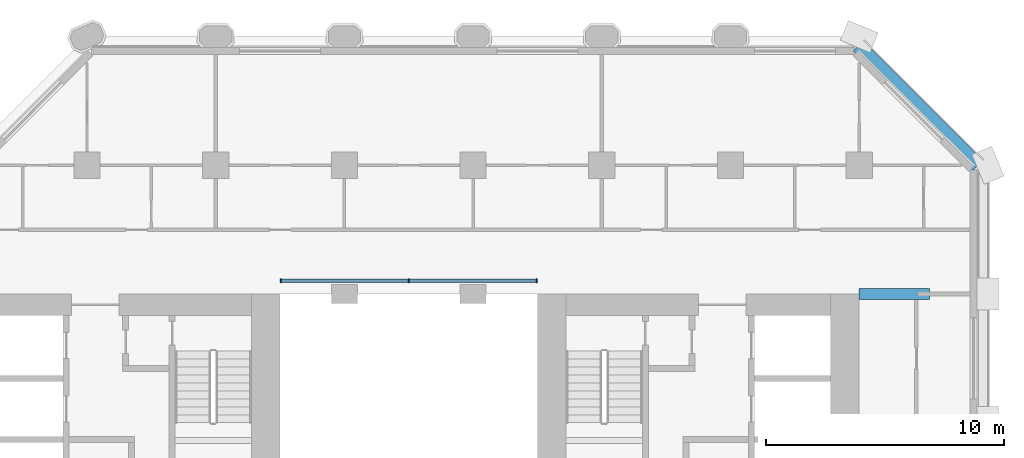
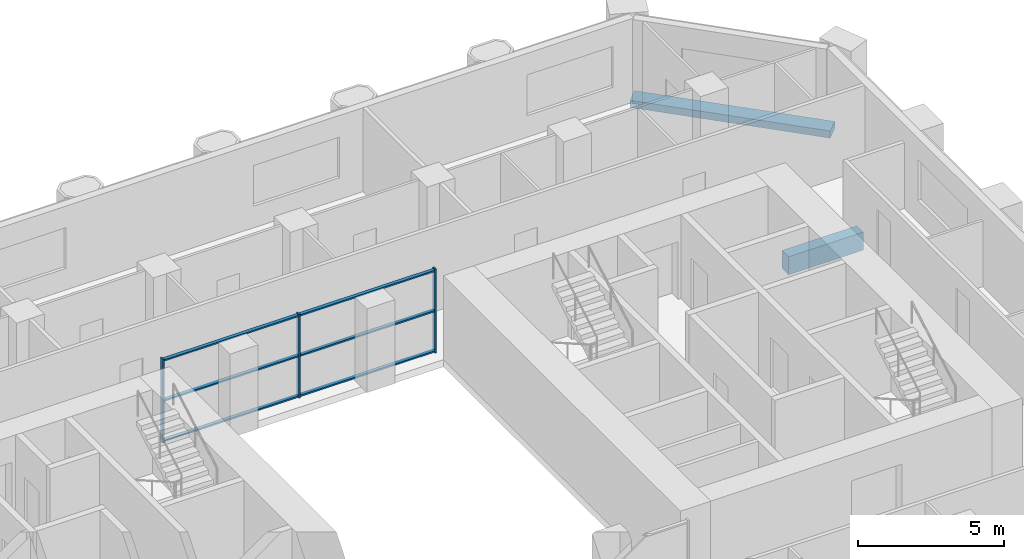
# One storey, part 6 of 13: 9 members, 2 beams, 1 element without a shape of its own.
"""IFC4 building model written with IfcOpenShell, lengths in metres."""

from ifc_helpers import new_model, si_unit, direction, frame, origin, origin_2d, place, context, subcontext, project, spatial, rectangle, extrude, material, material_profile, profile_set, type_object, element, aggregate, save


model = new_model("IFC4")

# Units and contexts
model_context = context("Model", 3, precision=1e-05, world=origin(), true_north=direction((0.0, 1.0)))
body_context = subcontext(model_context, "Body", "Model", "MODEL_VIEW")
ifc_project = project(units=[si_unit("LENGTHUNIT", "METRE"), si_unit("AREAUNIT", "SQUARE_METRE"), si_unit("VOLUMEUNIT", "CUBIC_METRE"), si_unit("PLANEANGLEUNIT", "RADIAN"), si_unit("MASSUNIT", "GRAM", prefix="KILO")], contexts=[model_context])

# Site, building, storey
site_placement = place(None, origin())
site = spatial("IfcSite", under=ifc_project, at=site_placement, CompositionType="ELEMENT")
building_placement = place(site_placement, origin())
building = spatial("IfcBuilding", under=site, at=building_placement, Name="Tabaq Tower and Sports Hall", CompositionType="ELEMENT")
storey_placement = place(building_placement, frame((0.0, 0.0, 48.800048828125)))
storey = spatial("IfcBuildingStorey", under=building, at=storey_placement, Name="L10", CompositionType="ELEMENT", Elevation=48.800048828125)

# Curtain wall, members
ifc_material_1 = material(Name="Aluminium alloy 6063-T6 framed glazing", Category="aluminium")
curtain_wall_type = type_object("IfcCurtainWallType", Name="CW1 curtain wall", PredefinedType="USERDEFINED", material=ifc_material_1)
curtain_wall_placement = place(storey_placement, origin())
curtain_wall = element("IfcCurtainWall", 1, at=curtain_wall_placement, inside=storey, type_object=curtain_wall_type, Name="Atrium glazing L10 N", ObjectType="ATRIUM ENCLOSURE", PredefinedType="USERDEFINED")
ifc_material_2 = material(Name="Aluminium alloy 6063-T6", Category="aluminium")
ifc_material_profile_1 = material_profile(ifc_material_2, rectangle(XDim=0.159912109375, YDim=0.06005859375, at=origin_2d()), Name="MULLION 160x60")
ifc_profile_set_1 = profile_set([ifc_material_profile_1], Name="Aluminium alloy 6063-T6")
member_type_1 = type_object("IfcMemberType", Name="CW1 mullion 160x60", PredefinedType="MULLION", material=ifc_profile_set_1)
member_1_placement = place(storey_placement, frame((18.929931640625, 32.949951171875, 0.0), z_axis=(0.0, 0.0, 1.0), x_axis=(0.0, 1.0, 0.0)))
member_1 = element("IfcMember", 2, at=member_1_placement, type_object=member_type_1, Name="CW1 mullion 1", PredefinedType="MULLION", context=body_context, shape_type="SweptSolid", body=[
    extrude(rectangle(XDim=0.159912109375, YDim=0.06005859375, at=origin_2d()), origin(), (0.0, 0.0, 1.0), 3.5),
])
member_2_placement = place(storey_placement, frame((24.300048828125, 32.949951171875, 0.0), z_axis=(0.0, 0.0, 1.0), x_axis=(0.0, 1.0, 0.0)))
member_2 = element("IfcMember", 3, at=member_2_placement, type_object=member_type_1, Name="CW1 mullion 2", PredefinedType="MULLION", context=body_context, shape_type="SweptSolid", body=[
    extrude(rectangle(XDim=0.159912109375, YDim=0.06005859375, at=origin_2d()), origin(), (0.0, 0.0, 1.0), 3.5),
])
member_3_placement = place(storey_placement, frame((29.669921875, 32.949951171875, 0.0), z_axis=(0.0, 0.0, 1.0), x_axis=(0.0, 1.0, 0.0)))
member_3 = element("IfcMember", 4, at=member_3_placement, type_object=member_type_1, Name="CW1 mullion 3", PredefinedType="MULLION", context=body_context, shape_type="SweptSolid", body=[
    extrude(rectangle(XDim=0.159912109375, YDim=0.06005859375, at=origin_2d()), origin(), (0.0, 0.0, 1.0), 3.5),
])
ifc_material_3 = material(Name="Aluminium alloy 6063-T6", Category="aluminium")
ifc_material_profile_2 = material_profile(ifc_material_3, rectangle(XDim=0.139892578125, YDim=0.06005859375, at=origin_2d()), Name="TRANSOM 140x60")
ifc_profile_set_2 = profile_set([ifc_material_profile_2], Name="Aluminium alloy 6063-T6")
member_type_2 = type_object("IfcMemberType", Name="CW1 transom 140x60", PredefinedType="USERDEFINED", material=ifc_profile_set_2)
member_4_placement = place(storey_placement, frame((18.9599609375, 32.949951171875, 0.070068359375), z_axis=(1.0, 0.0, 0.0), x_axis=(0.0, 1.0, 0.0)))
member_4 = element("IfcMember", 5, at=member_4_placement, type_object=member_type_2, Name="CW1 transom 1.1", ObjectType="TRANSOM", PredefinedType="USERDEFINED", context=body_context, shape_type="SweptSolid", body=[
    extrude(rectangle(XDim=0.139892578125, YDim=0.06005859375, at=origin_2d()), origin(), (0.0, 0.0, 1.0), 5.31005859375),
])
member_5_placement = place(storey_placement, frame((18.9599609375, 32.949951171875, 1.75), z_axis=(1.0, 0.0, 0.0), x_axis=(0.0, 1.0, 0.0)))
member_5 = element("IfcMember", 6, at=member_5_placement, type_object=member_type_2, Name="CW1 transom 1.2", ObjectType="TRANSOM", PredefinedType="USERDEFINED", context=body_context, shape_type="SweptSolid", body=[
    extrude(rectangle(XDim=0.139892578125, YDim=0.06005859375, at=origin_2d()), origin(), (0.0, 0.0, 1.0), 5.31005859375),
])
member_6_placement = place(storey_placement, frame((18.9599609375, 32.949951171875, 3.429931640625), z_axis=(1.0, 0.0, 0.0), x_axis=(0.0, 1.0, 0.0)))
member_6 = element("IfcMember", 7, at=member_6_placement, type_object=member_type_2, Name="CW1 transom 1.3", ObjectType="TRANSOM", PredefinedType="USERDEFINED", context=body_context, shape_type="SweptSolid", body=[
    extrude(rectangle(XDim=0.139892578125, YDim=0.06005859375, at=origin_2d()), origin(), (0.0, 0.0, 1.0), 5.31005859375),
])
member_7_placement = place(storey_placement, frame((24.330078125, 32.949951171875, 0.070068359375), z_axis=(1.0, 0.0, 0.0), x_axis=(0.0, 1.0, 0.0)))
member_7 = element("IfcMember", 8, at=member_7_placement, type_object=member_type_2, Name="CW1 transom 2.1", ObjectType="TRANSOM", PredefinedType="USERDEFINED", context=body_context, shape_type="SweptSolid", body=[
    extrude(rectangle(XDim=0.139892578125, YDim=0.06005859375, at=origin_2d()), origin(), (0.0, 0.0, 1.0), 5.309814453125),
])
member_8_placement = place(storey_placement, frame((24.330078125, 32.949951171875, 1.75), z_axis=(1.0, 0.0, 0.0), x_axis=(0.0, 1.0, 0.0)))
member_8 = element("IfcMember", 9, at=member_8_placement, type_object=member_type_2, Name="CW1 transom 2.2", ObjectType="TRANSOM", PredefinedType="USERDEFINED", context=body_context, shape_type="SweptSolid", body=[
    extrude(rectangle(XDim=0.139892578125, YDim=0.06005859375, at=origin_2d()), origin(), (0.0, 0.0, 1.0), 5.309814453125),
])
member_9_placement = place(storey_placement, frame((24.330078125, 32.949951171875, 3.429931640625), z_axis=(1.0, 0.0, 0.0), x_axis=(0.0, 1.0, 0.0)))
member_9 = element("IfcMember", 10, at=member_9_placement, type_object=member_type_2, Name="CW1 transom 2.3", ObjectType="TRANSOM", PredefinedType="USERDEFINED", context=body_context, shape_type="SweptSolid", body=[
    extrude(rectangle(XDim=0.139892578125, YDim=0.06005859375, at=origin_2d()), origin(), (0.0, 0.0, 1.0), 5.309814453125),
])
aggregate(curtain_wall, [member_1, member_2, member_3, member_4, member_5, member_6, member_7, member_8, member_9])

# Beams
ifc_material_4 = material(Name="Concrete C40/50", Category="concrete")
ifc_material_profile_3 = material_profile(ifc_material_4, rectangle(XDim=0.449951171875, YDim=0.75, at=origin_2d()), Name="CB 450x750")
ifc_profile_set_3 = profile_set([ifc_material_profile_3], Name="Concrete C40/50")
beam_type_1 = type_object("IfcBeamType", Name="PT CANTILEVER BEAM CB 450x750 C40/50", PredefinedType="BEAM", material=ifc_profile_set_3)
beam_1_placement = place(storey_placement, frame((46.14990234375, 32.39990234375, -0.675048828125), z_axis=(-1.0, 0.0, 0.0), x_axis=(0.0, -1.0, 0.0)))
element("IfcBeam", 11, at=beam_1_placement, inside=storey, type_object=beam_type_1, Name="Cantilever Beam L10 E6 span 1", PredefinedType="BEAM", context=body_context, shape_type="SweptSolid", body=[
    extrude(rectangle(XDim=0.449951171875, YDim=0.75, at=origin_2d()), origin(), (0.0, 0.0, 1.0), 2.949951171875),
])
ifc_material_5 = material(Name="Concrete C40/50", Category="concrete")
ifc_material_profile_4 = material_profile(ifc_material_5, rectangle(XDim=0.60009765625, YDim=0.300048828125, at=origin_2d()), Name="EB 600x300")
ifc_profile_set_4 = profile_set([ifc_material_profile_4], Name="Concrete C40/50")
beam_type_2 = type_object("IfcBeamType", Name="PT EDGE BEAM EB 600x300 C40/50", PredefinedType="SPANDREL", material=ifc_profile_set_4)
beam_2_placement = place(storey_placement, frame((48.1767578125, 37.799072265625, -0.150146484375), z_axis=(-0.707124002701, 0.707089559252, 0.0), x_axis=(-0.707089559252, -0.707124002701, 0.0)))
element("IfcBeam", 12, at=beam_2_placement, inside=storey, type_object=beam_type_2, Name="Edge Beam L10 4", PredefinedType="SPANDREL", context=body_context, shape_type="SweptSolid", body=[
    extrude(rectangle(XDim=0.60009765625, YDim=0.300048828125, at=origin_2d()), origin(), (0.0, 0.0, 1.0), 7.088134765625),
])

save(model, "model.ifc")
